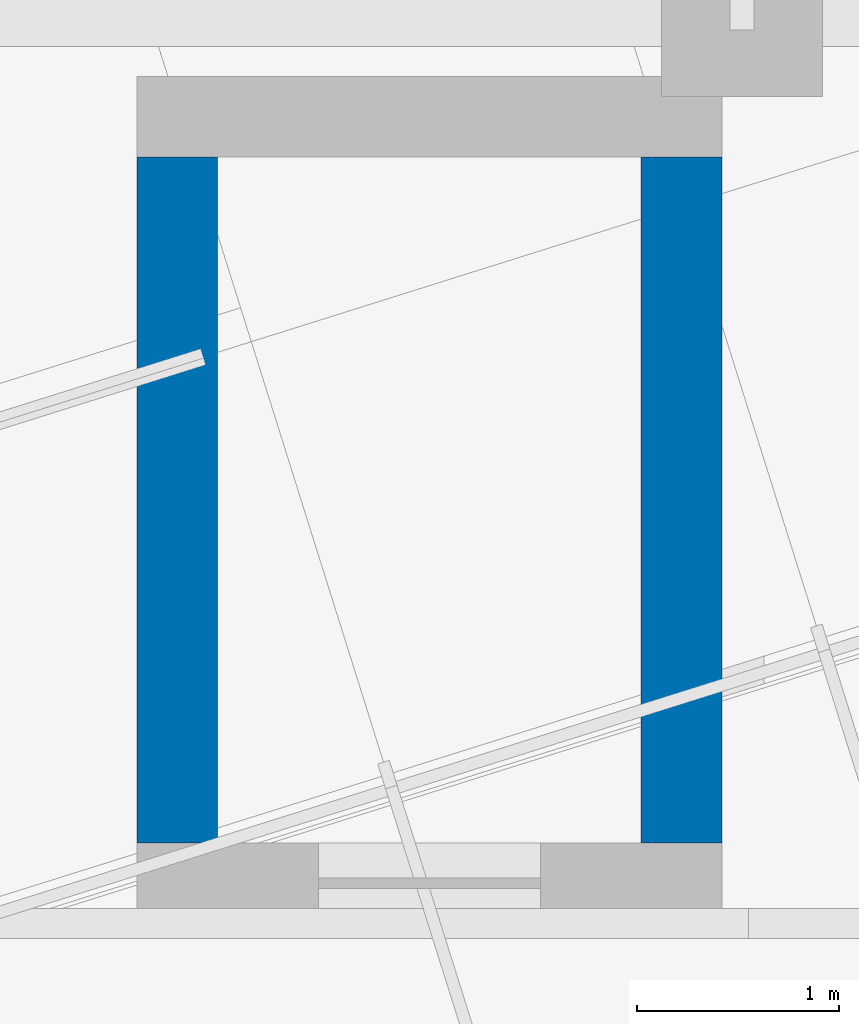
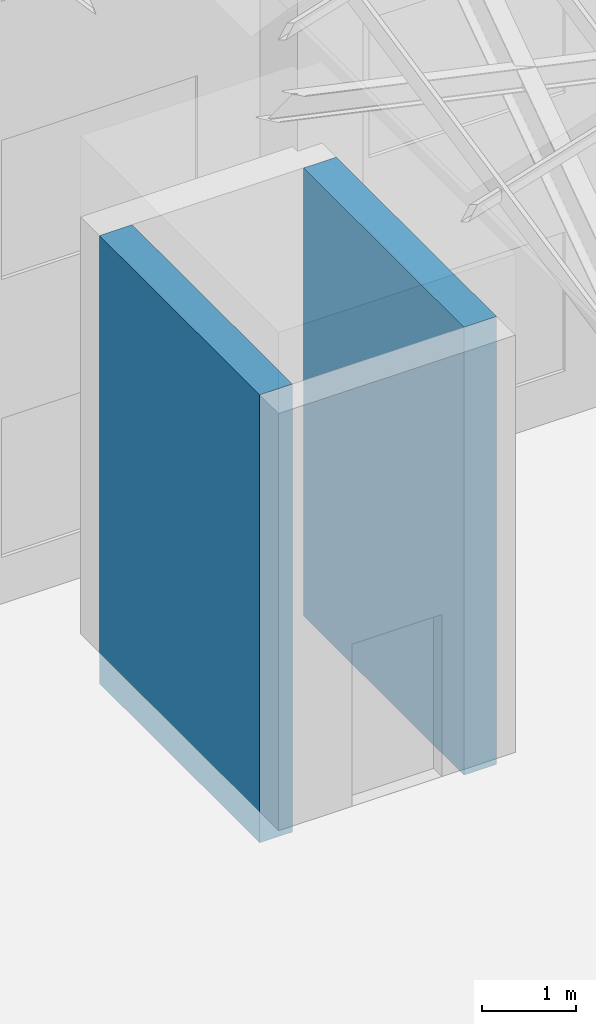
# One storey, part 11 of 14: 2 walls.
"""IFC4 building model written with IfcOpenShell, lengths in metres."""

from ifc_helpers import new_model, si_unit, direction, frame, frame_2d, origin, place, context, subcontext, project, spatial, rectangle, extrude, material, layer, layer_set, type_object, element, save


model = new_model("IFC4")

# Units and contexts
model_context = context("Model", 3, precision=1e-05, world=origin(), true_north=direction((0.0, 1.0)))
body_context = subcontext(model_context, "Body", "Model", "MODEL_VIEW")
ifc_project = project(units=[si_unit("LENGTHUNIT", "METRE"), si_unit("AREAUNIT", "SQUARE_METRE"), si_unit("VOLUMEUNIT", "CUBIC_METRE"), si_unit("PLANEANGLEUNIT", "RADIAN"), si_unit("MASSUNIT", "GRAM", prefix="KILO")], contexts=[model_context])

# Site, building, storey
site_placement = place(None, origin())
site = spatial("IfcSite", under=ifc_project, at=site_placement, CompositionType="ELEMENT")
building_placement = place(site_placement, origin())
building = spatial("IfcBuilding", under=site, at=building_placement, Name="Firuza Court", CompositionType="ELEMENT")
storey_placement = place(building_placement, frame((0.0, 0.0, 266.199951171875)))
storey = spatial("IfcBuildingStorey", under=building, at=storey_placement, Name="L68 Crown", CompositionType="ELEMENT", Elevation=266.199951171875)

# Walls
ifc_material = material(Name="Concrete C50/60", Category="concrete")
ifc_layer = layer(ifc_material, 0.39990234375)
ifc_layer_set = layer_set([ifc_layer], Name="Concrete C50/60")
wall_type = type_object("IfcWallType", Name="Core wall 400 C50/60", PredefinedType="SHEAR", material=ifc_layer_set)
for number, where, z_axis, x_axis, name in (
    (1, (24.199951171875, 54.39990234375, -0.39990234375), (0.0, 0.0, 1.0), (0.0, 1.0, 0.0), "Core wall lift shaft L68"),
    (2, (26.699951171875, 54.39990234375, -0.39990234375), (0.0, 0.0, 1.0), (0.0, 1.0, 0.0), "Core wall lift shaft L68"),
):
    element("IfcWall", number, at=place(storey_placement, frame(where, z_axis=z_axis, x_axis=x_axis)), inside=storey, type_object=wall_type, Name=name, PredefinedType="SHEAR", context=body_context, shape_type="SweptSolid", body=[
        extrude(rectangle(XDim=3.400146484375, YDim=0.39990234375, at=frame_2d((1.7001953125, 0.0))), origin(), (0.0, 0.0, 1.0), 5.800048828125),
    ])

save(model, "model.ifc")
